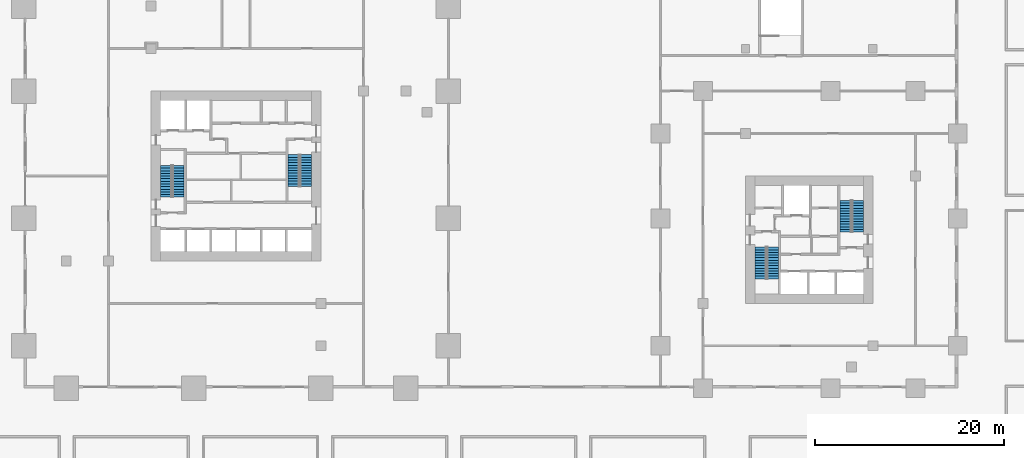
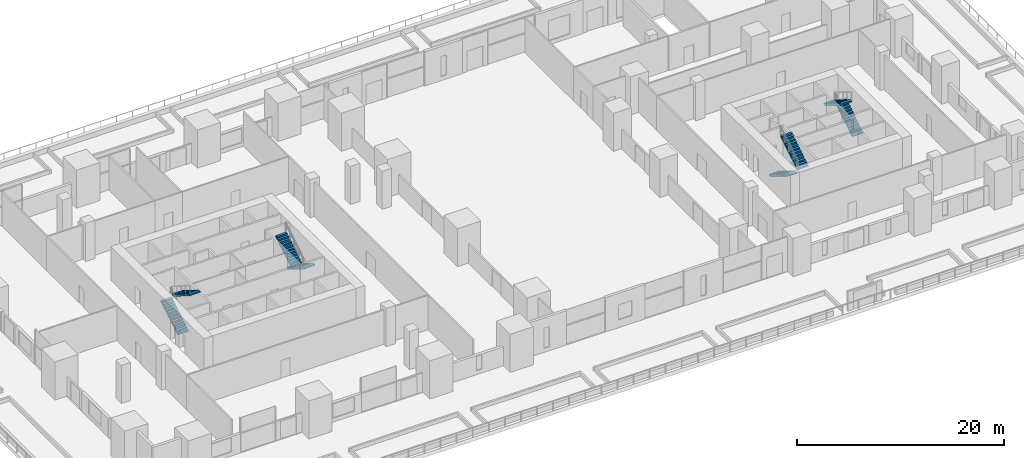
# One storey, part 25 of 26: 8 stair flights, 4 elements without a shape of their own.
"""IFC4 building model written with IfcOpenShell, lengths in metres."""

from ifc_helpers import new_model, si_unit, direction, frame, origin, place, context, subcontext, project, spatial, polyline, outline, extrude, material, type_object, element, aggregate, save


model = new_model("IFC4")

# Units and contexts
model_context = context("Model", 3, precision=1e-05, world=origin(), true_north=direction((0.0, 1.0)))
body_context = subcontext(model_context, "Body", "Model", "MODEL_VIEW")
ifc_project = project(units=[si_unit("LENGTHUNIT", "METRE"), si_unit("AREAUNIT", "SQUARE_METRE"), si_unit("VOLUMEUNIT", "CUBIC_METRE"), si_unit("PLANEANGLEUNIT", "RADIAN"), si_unit("MASSUNIT", "GRAM", prefix="KILO")], contexts=[model_context])

# Site, building, storey
site_placement = place(None, origin())
site = spatial("IfcSite", under=ifc_project, at=site_placement, CompositionType="ELEMENT")
building_placement = place(site_placement, origin())
building = spatial("IfcBuilding", under=site, at=building_placement, Name="Altepetl Exchange Towers", CompositionType="ELEMENT")
storey_placement = place(building_placement, frame((0.0, 0.0, 16.5)))
storey = spatial("IfcBuildingStorey", under=building, at=storey_placement, Name="L03 Podium terrace", CompositionType="ELEMENT", Elevation=16.5)

# Stair, stair flights
ifc_material = material(Name="Concrete C40/50", Category="concrete")
stair_type = type_object("IfcStairType", Name="Exit stair 1200 flights dogleg", PredefinedType="HALF_TURN_STAIR", material=ifc_material)
stair_1_placement = place(storey_placement, origin())
stair_1 = element("IfcStair", 1, at=stair_1_placement, inside=storey, type_object=stair_type, Name="Exit stair 1", PredefinedType="HALF_TURN_STAIR")
stair_flight_type = type_object("IfcStairFlightType", Name="Stair flight 1200 wide", PredefinedType="STRAIGHT", material=ifc_material)
stair_flight_1_placement = place(storey_placement, frame((42.10009765625, 47.25, 0.0), z_axis=(0.0, 0.0, 1.0), x_axis=(0.0, 1.0, 0.0)))
stair_flight_1 = element("IfcStairFlight", 2, at=stair_flight_1_placement, type_object=stair_flight_type, Name="ST-A1a flight 1", NumberOfRisers=13, NumberOfTreads=12, PredefinedType="STRAIGHT", RiserHeight=0.173076923, TreadLength=0.28, context=body_context, shape_type="SweptSolid", body=[
    extrude(outline(polyline([(0.0, 0.0), (0.0, 0.173095703125), (0.280029296875, 0.173095703125), (0.280029296875, 0.34619140625), (0.56005859375, 0.34619140625), (0.56005859375, 0.519287109375), (0.840087890625, 0.519287109375), (0.840087890625, 0.6923828125), (1.1201171875, 0.6923828125), (1.1201171875, 0.865478515625), (1.39990234375, 0.865478515625), (1.39990234375, 1.03857421875), (1.679931640625, 1.03857421875), (1.679931640625, 1.21142578125), (1.9599609375, 1.21142578125), (1.9599609375, 1.384521484375), (2.239990234375, 1.384521484375), (2.239990234375, 1.5576171875), (2.52001953125, 1.5576171875), (2.52001953125, 1.730712890625), (2.800048828125, 1.730712890625), (2.800048828125, 1.90380859375), (3.080078125, 1.90380859375), (3.080078125, 2.076904296875), (3.360107421875, 2.076904296875), (3.360107421875, 2.25), (3.360107421875, 1.900634765625), (0.28515625, 0.0), (0.0, 0.0)])), frame((0.0, 0.60009765625, 0.0), z_axis=(0.0, -1.0, 0.0), x_axis=(1.0, 0.0, 0.0)), (0.0, 0.0, 1.0), 1.199951171875),
])
stair_flight_2_placement = place(storey_placement, frame((43.39990234375, 50.610107421875, 2.25), z_axis=(0.0, 0.0, 1.0), x_axis=(0.0, -1.0, 0.0)))
stair_flight_2 = element("IfcStairFlight", 3, at=stair_flight_2_placement, type_object=stair_flight_type, Name="ST-A1a flight 2", NumberOfRisers=13, NumberOfTreads=12, PredefinedType="STRAIGHT", RiserHeight=0.173076923, TreadLength=0.28, context=body_context, shape_type="SweptSolid", body=[
    extrude(outline(polyline([(0.0, 0.0), (0.0, 0.173095703125), (0.280029296875, 0.173095703125), (0.280029296875, 0.34619140625), (0.56005859375, 0.34619140625), (0.56005859375, 0.519287109375), (0.840087890625, 0.519287109375), (0.840087890625, 0.6923828125), (1.1201171875, 0.6923828125), (1.1201171875, 0.865478515625), (1.39990234375, 0.865478515625), (1.39990234375, 1.03857421875), (1.679931640625, 1.03857421875), (1.679931640625, 1.21142578125), (1.9599609375, 1.21142578125), (1.9599609375, 1.384521484375), (2.239990234375, 1.384521484375), (2.239990234375, 1.5576171875), (2.52001953125, 1.5576171875), (2.52001953125, 1.730712890625), (2.800048828125, 1.730712890625), (2.800048828125, 1.90380859375), (3.080078125, 1.90380859375), (3.080078125, 2.076904296875), (3.360107421875, 2.076904296875), (3.360107421875, 2.25), (3.360107421875, 1.900634765625), (0.28515625, 0.0), (0.0, 0.0)])), frame((0.0, 0.60009765625, 0.0), z_axis=(0.0, -1.0, 0.0), x_axis=(1.0, 0.0, 0.0)), (0.0, 0.0, 1.0), 1.199951171875),
])
aggregate(stair_1, [stair_flight_1, stair_flight_2])

stair_2_placement = place(storey_placement, origin())
stair_2 = element("IfcStair", 4, at=stair_2_placement, inside=storey, type_object=stair_type, Name="Exit stair 2", PredefinedType="HALF_TURN_STAIR")
stair_flight_3_placement = place(storey_placement, frame((56.89990234375, 51.75, 0.0), z_axis=(0.0, 0.0, 1.0), x_axis=(0.0, -1.0, 0.0)))
stair_flight_3 = element("IfcStairFlight", 5, at=stair_flight_3_placement, type_object=stair_flight_type, Name="ST-A2a flight 1", NumberOfRisers=13, NumberOfTreads=12, PredefinedType="STRAIGHT", RiserHeight=0.173076923, TreadLength=0.28, context=body_context, shape_type="SweptSolid", body=[
    extrude(outline(polyline([(0.0, 0.0), (0.0, 0.173095703125), (0.280029296875, 0.173095703125), (0.280029296875, 0.34619140625), (0.56005859375, 0.34619140625), (0.56005859375, 0.519287109375), (0.840087890625, 0.519287109375), (0.840087890625, 0.6923828125), (1.1201171875, 0.6923828125), (1.1201171875, 0.865478515625), (1.39990234375, 0.865478515625), (1.39990234375, 1.03857421875), (1.679931640625, 1.03857421875), (1.679931640625, 1.21142578125), (1.9599609375, 1.21142578125), (1.9599609375, 1.384521484375), (2.239990234375, 1.384521484375), (2.239990234375, 1.5576171875), (2.52001953125, 1.5576171875), (2.52001953125, 1.730712890625), (2.800048828125, 1.730712890625), (2.800048828125, 1.90380859375), (3.080078125, 1.90380859375), (3.080078125, 2.076904296875), (3.360107421875, 2.076904296875), (3.360107421875, 2.25), (3.360107421875, 1.900634765625), (0.28515625, 0.0), (0.0, 0.0)])), frame((0.0, 0.60009765625, 0.0), z_axis=(0.0, -1.0, 0.0), x_axis=(1.0, 0.0, 0.0)), (0.0, 0.0, 1.0), 1.199951171875),
])
stair_flight_4_placement = place(storey_placement, frame((55.60009765625, 48.389892578125, 2.25), z_axis=(0.0, 0.0, 1.0), x_axis=(0.0, 1.0, 0.0)))
stair_flight_4 = element("IfcStairFlight", 6, at=stair_flight_4_placement, type_object=stair_flight_type, Name="ST-A2a flight 2", NumberOfRisers=13, NumberOfTreads=12, PredefinedType="STRAIGHT", RiserHeight=0.173076923, TreadLength=0.28, context=body_context, shape_type="SweptSolid", body=[
    extrude(outline(polyline([(0.0, 0.0), (0.0, 0.173095703125), (0.280029296875, 0.173095703125), (0.280029296875, 0.34619140625), (0.56005859375, 0.34619140625), (0.56005859375, 0.519287109375), (0.840087890625, 0.519287109375), (0.840087890625, 0.6923828125), (1.1201171875, 0.6923828125), (1.1201171875, 0.865478515625), (1.39990234375, 0.865478515625), (1.39990234375, 1.03857421875), (1.679931640625, 1.03857421875), (1.679931640625, 1.21142578125), (1.9599609375, 1.21142578125), (1.9599609375, 1.384521484375), (2.239990234375, 1.384521484375), (2.239990234375, 1.5576171875), (2.52001953125, 1.5576171875), (2.52001953125, 1.730712890625), (2.800048828125, 1.730712890625), (2.800048828125, 1.90380859375), (3.080078125, 1.90380859375), (3.080078125, 2.076904296875), (3.360107421875, 2.076904296875), (3.360107421875, 2.25), (3.360107421875, 1.900634765625), (0.28515625, 0.0), (0.0, 0.0)])), frame((0.0, 0.60009765625, 0.0), z_axis=(0.0, -1.0, 0.0), x_axis=(1.0, 0.0, 0.0)), (0.0, 0.0, 1.0), 1.199951171875),
])
aggregate(stair_2, [stair_flight_3, stair_flight_4])

stair_3_placement = place(storey_placement, origin())
stair_3 = element("IfcStair", 7, at=stair_3_placement, inside=storey, type_object=stair_type, Name="Exit stair 1", PredefinedType="HALF_TURN_STAIR")
stair_flight_5_placement = place(storey_placement, frame((105.10009765625, 41.949951171875, 0.0), z_axis=(0.0, 0.0, 1.0), x_axis=(0.0, -1.0, 0.0)))
stair_flight_5 = element("IfcStairFlight", 8, at=stair_flight_5_placement, type_object=stair_flight_type, Name="ST-B1a flight 1", NumberOfRisers=13, NumberOfTreads=12, PredefinedType="STRAIGHT", RiserHeight=0.173076923, TreadLength=0.28, context=body_context, shape_type="SweptSolid", body=[
    extrude(outline(polyline([(0.0, 0.0), (0.0, 0.173095703125), (0.280029296875, 0.173095703125), (0.280029296875, 0.34619140625), (0.56005859375, 0.34619140625), (0.56005859375, 0.519287109375), (0.840087890625, 0.519287109375), (0.840087890625, 0.6923828125), (1.1201171875, 0.6923828125), (1.1201171875, 0.865478515625), (1.39990234375, 0.865478515625), (1.39990234375, 1.03857421875), (1.679931640625, 1.03857421875), (1.679931640625, 1.21142578125), (1.9599609375, 1.21142578125), (1.9599609375, 1.384521484375), (2.239990234375, 1.384521484375), (2.239990234375, 1.5576171875), (2.52001953125, 1.5576171875), (2.52001953125, 1.730712890625), (2.800048828125, 1.730712890625), (2.800048828125, 1.90380859375), (3.080078125, 1.90380859375), (3.080078125, 2.076904296875), (3.360107421875, 2.076904296875), (3.360107421875, 2.25), (3.360107421875, 1.900634765625), (0.28515625, 0.0), (0.0, 0.0)])), frame((0.0, 0.60009765625, 0.0), z_axis=(0.0, -1.0, 0.0), x_axis=(1.0, 0.0, 0.0)), (0.0, 0.0, 1.0), 1.199951171875),
])
stair_flight_6_placement = place(storey_placement, frame((106.39990234375, 38.590087890625, 2.25), z_axis=(0.0, 0.0, 1.0), x_axis=(0.0, 1.0, 0.0)))
stair_flight_6 = element("IfcStairFlight", 9, at=stair_flight_6_placement, type_object=stair_flight_type, Name="ST-B1a flight 2", NumberOfRisers=13, NumberOfTreads=12, PredefinedType="STRAIGHT", RiserHeight=0.173076923, TreadLength=0.28, context=body_context, shape_type="SweptSolid", body=[
    extrude(outline(polyline([(0.0, 0.0), (0.0, 0.173095703125), (0.280029296875, 0.173095703125), (0.280029296875, 0.34619140625), (0.56005859375, 0.34619140625), (0.56005859375, 0.519287109375), (0.840087890625, 0.519287109375), (0.840087890625, 0.6923828125), (1.1201171875, 0.6923828125), (1.1201171875, 0.865478515625), (1.39990234375, 0.865478515625), (1.39990234375, 1.03857421875), (1.679931640625, 1.03857421875), (1.679931640625, 1.21142578125), (1.9599609375, 1.21142578125), (1.9599609375, 1.384521484375), (2.239990234375, 1.384521484375), (2.239990234375, 1.5576171875), (2.52001953125, 1.5576171875), (2.52001953125, 1.730712890625), (2.800048828125, 1.730712890625), (2.800048828125, 1.90380859375), (3.080078125, 1.90380859375), (3.080078125, 2.076904296875), (3.360107421875, 2.076904296875), (3.360107421875, 2.25), (3.360107421875, 1.900634765625), (0.28515625, 0.0), (0.0, 0.0)])), frame((0.0, 0.60009765625, 0.0), z_axis=(0.0, -1.0, 0.0), x_axis=(1.0, 0.0, 0.0)), (0.0, 0.0, 1.0), 1.199951171875),
])
aggregate(stair_3, [stair_flight_5, stair_flight_6])

stair_4_placement = place(storey_placement, origin())
stair_4 = element("IfcStair", 10, at=stair_4_placement, inside=storey, type_object=stair_type, Name="Exit stair 2", PredefinedType="HALF_TURN_STAIR")
stair_flight_7_placement = place(storey_placement, frame((115.39990234375, 43.550048828125, 0.0), z_axis=(0.0, 0.0, 1.0), x_axis=(0.0, 1.0, 0.0)))
stair_flight_7 = element("IfcStairFlight", 11, at=stair_flight_7_placement, type_object=stair_flight_type, Name="ST-B2a flight 1", NumberOfRisers=13, NumberOfTreads=12, PredefinedType="STRAIGHT", RiserHeight=0.173076923, TreadLength=0.28, context=body_context, shape_type="SweptSolid", body=[
    extrude(outline(polyline([(0.0, 0.0), (0.0, 0.173095703125), (0.280029296875, 0.173095703125), (0.280029296875, 0.34619140625), (0.56005859375, 0.34619140625), (0.56005859375, 0.519287109375), (0.840087890625, 0.519287109375), (0.840087890625, 0.6923828125), (1.1201171875, 0.6923828125), (1.1201171875, 0.865478515625), (1.39990234375, 0.865478515625), (1.39990234375, 1.03857421875), (1.679931640625, 1.03857421875), (1.679931640625, 1.21142578125), (1.9599609375, 1.21142578125), (1.9599609375, 1.384521484375), (2.239990234375, 1.384521484375), (2.239990234375, 1.5576171875), (2.52001953125, 1.5576171875), (2.52001953125, 1.730712890625), (2.800048828125, 1.730712890625), (2.800048828125, 1.90380859375), (3.080078125, 1.90380859375), (3.080078125, 2.076904296875), (3.360107421875, 2.076904296875), (3.360107421875, 2.25), (3.360107421875, 1.900634765625), (0.28515625, 0.0), (0.0, 0.0)])), frame((0.0, 0.60009765625, 0.0), z_axis=(0.0, -1.0, 0.0), x_axis=(1.0, 0.0, 0.0)), (0.0, 0.0, 1.0), 1.199951171875),
])
stair_flight_8_placement = place(storey_placement, frame((114.10009765625, 46.909912109375, 2.25), z_axis=(0.0, 0.0, 1.0), x_axis=(0.0, -1.0, 0.0)))
stair_flight_8 = element("IfcStairFlight", 12, at=stair_flight_8_placement, type_object=stair_flight_type, Name="ST-B2a flight 2", NumberOfRisers=13, NumberOfTreads=12, PredefinedType="STRAIGHT", RiserHeight=0.173076923, TreadLength=0.28, context=body_context, shape_type="SweptSolid", body=[
    extrude(outline(polyline([(0.0, 0.0), (0.0, 0.173095703125), (0.280029296875, 0.173095703125), (0.280029296875, 0.34619140625), (0.56005859375, 0.34619140625), (0.56005859375, 0.519287109375), (0.840087890625, 0.519287109375), (0.840087890625, 0.6923828125), (1.1201171875, 0.6923828125), (1.1201171875, 0.865478515625), (1.39990234375, 0.865478515625), (1.39990234375, 1.03857421875), (1.679931640625, 1.03857421875), (1.679931640625, 1.21142578125), (1.9599609375, 1.21142578125), (1.9599609375, 1.384521484375), (2.239990234375, 1.384521484375), (2.239990234375, 1.5576171875), (2.52001953125, 1.5576171875), (2.52001953125, 1.730712890625), (2.800048828125, 1.730712890625), (2.800048828125, 1.90380859375), (3.080078125, 1.90380859375), (3.080078125, 2.076904296875), (3.360107421875, 2.076904296875), (3.360107421875, 2.25), (3.360107421875, 1.900634765625), (0.28515625, 0.0), (0.0, 0.0)])), frame((0.0, 0.60009765625, 0.0), z_axis=(0.0, -1.0, 0.0), x_axis=(1.0, 0.0, 0.0)), (0.0, 0.0, 1.0), 1.199951171875),
])
aggregate(stair_4, [stair_flight_7, stair_flight_8])

save(model, "model.ifc")
